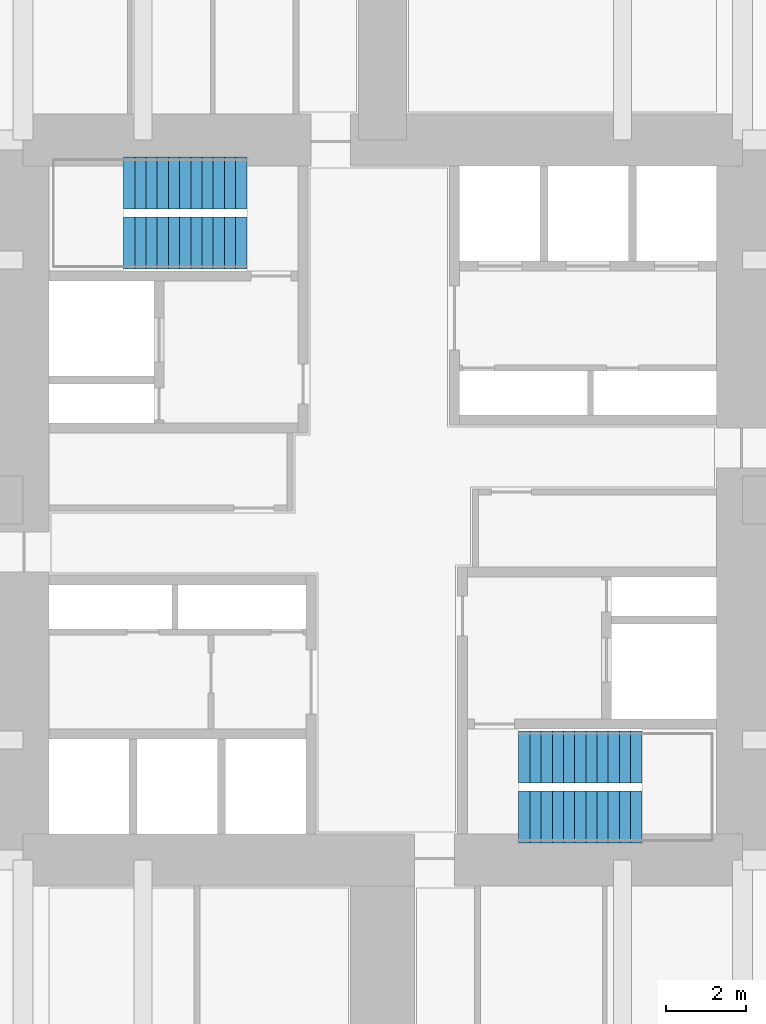
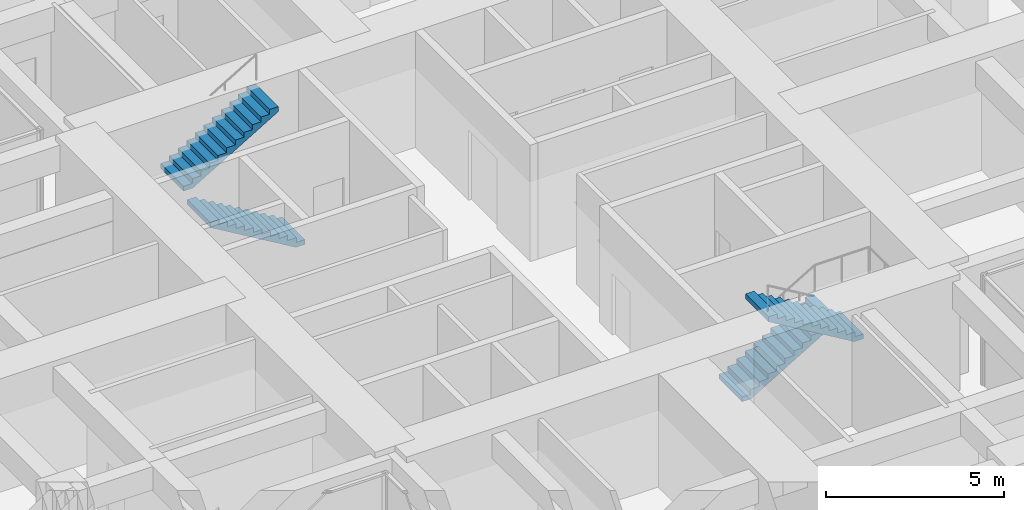
# One storey, part 12 of 13: 4 stair flights, 2 elements without a shape of their own.
"""IFC4 building model written with IfcOpenShell, lengths in metres."""

from ifc_helpers import new_model, si_unit, direction, frame, origin, place, context, subcontext, project, spatial, polyline, outline, extrude, material, type_object, element, aggregate, save


model = new_model("IFC4")

# Units and contexts
model_context = context("Model", 3, precision=1e-05, world=origin(), true_north=direction((0.0, 1.0)))
body_context = subcontext(model_context, "Body", "Model", "MODEL_VIEW")
ifc_project = project(units=[si_unit("LENGTHUNIT", "METRE"), si_unit("AREAUNIT", "SQUARE_METRE"), si_unit("VOLUMEUNIT", "CUBIC_METRE"), si_unit("PLANEANGLEUNIT", "RADIAN"), si_unit("MASSUNIT", "GRAM", prefix="KILO")], contexts=[model_context])

# Site, building, storey
site_placement = place(None, origin())
site = spatial("IfcSite", under=ifc_project, at=site_placement, CompositionType="ELEMENT")
building_placement = place(site_placement, origin())
building = spatial("IfcBuilding", under=site, at=building_placement, Name="Torre Cruceta", CompositionType="ELEMENT")
storey_placement = place(building_placement, frame((0.0, 0.0, 47.5)))
storey = spatial("IfcBuildingStorey", under=building, at=storey_placement, Name="L11", CompositionType="ELEMENT", Elevation=47.5)

# Stair, stair flights
ifc_material_1 = material(Name="Concrete G30 (fck 30 MPa)", Category="concrete")
stair_type = type_object("IfcStairType", Name="STAIR HALF-TURN 1300", PredefinedType="HALF_TURN_STAIR", material=ifc_material_1)
stair_1_placement = place(storey_placement, origin())
stair_1 = element("IfcStair", 1, at=stair_1_placement, inside=storey, type_object=stair_type, Name="Stair ST1 L11", PredefinedType="HALF_TURN_STAIR")
ifc_material_2 = material(Name="Concrete G30 (fck 30 MPa)", Category="concrete")
stair_flight_type = type_object("IfcStairFlightType", Name="STAIR FLIGHT 1300", PredefinedType="STRAIGHT", material=ifc_material_2)
stair_flight_1_placement = place(storey_placement, frame((-3.39990234375, 6.425048828125, 0.0), z_axis=(0.0, 0.0, 1.0), x_axis=(-1.0, 0.0, 0.0)))
stair_flight_1 = element("IfcStairFlight", 2, at=stair_flight_1_placement, type_object=stair_flight_type, Name="ST1 flight 1", NumberOfRisers=12, NumberOfTreads=11, PredefinedType="STRAIGHT", RiserHeight=0.166666667, TreadLength=0.28, context=body_context, shape_type="SweptSolid", body=[
    extrude(outline(polyline([(0.0, 0.0), (0.0, 0.166748046875), (0.280029296875, 0.166748046875), (0.280029296875, 0.333251953125), (0.56005859375, 0.333251953125), (0.56005859375, 0.5), (0.840087890625, 0.5), (0.840087890625, 0.666748046875), (1.1201171875, 0.666748046875), (1.1201171875, 0.833251953125), (1.39990234375, 0.833251953125), (1.39990234375, 1.0), (1.679931640625, 1.0), (1.679931640625, 1.166748046875), (1.9599609375, 1.166748046875), (1.9599609375, 1.333251953125), (2.239990234375, 1.333251953125), (2.239990234375, 1.5), (2.52001953125, 1.5), (2.52001953125, 1.666748046875), (2.800048828125, 1.666748046875), (2.800048828125, 1.833251953125), (3.080078125, 1.833251953125), (3.080078125, 2.0), (3.080078125, 1.658935546875), (0.29296875, 0.0), (0.0, 0.0)])), frame((0.0, 0.64990234375, 0.0), z_axis=(0.0, -1.0, 0.0), x_axis=(1.0, 0.0, 0.0)), (0.0, 0.0, 1.0), 1.300048828125),
])
stair_flight_2_placement = place(storey_placement, frame((-6.47998046875, 7.925048828125, 2.0), z_axis=(0.0, 0.0, 1.0), x_axis=(1.0, 0.0, 0.0)))
stair_flight_2 = element("IfcStairFlight", 3, at=stair_flight_2_placement, type_object=stair_flight_type, Name="ST1 flight 2", NumberOfRisers=12, NumberOfTreads=11, PredefinedType="STRAIGHT", RiserHeight=0.166666667, TreadLength=0.28, context=body_context, shape_type="SweptSolid", body=[
    extrude(outline(polyline([(0.0, 0.0), (0.0, 0.166748046875), (0.280029296875, 0.166748046875), (0.280029296875, 0.333251953125), (0.56005859375, 0.333251953125), (0.56005859375, 0.5), (0.840087890625, 0.5), (0.840087890625, 0.666748046875), (1.1201171875, 0.666748046875), (1.1201171875, 0.833251953125), (1.39990234375, 0.833251953125), (1.39990234375, 1.0), (1.679931640625, 1.0), (1.679931640625, 1.166748046875), (1.9599609375, 1.166748046875), (1.9599609375, 1.333251953125), (2.239990234375, 1.333251953125), (2.239990234375, 1.5), (2.52001953125, 1.5), (2.52001953125, 1.666748046875), (2.800048828125, 1.666748046875), (2.800048828125, 1.833251953125), (3.080078125, 1.833251953125), (3.080078125, 2.0), (3.080078125, 1.658935546875), (0.29296875, 0.0), (0.0, 0.0)])), frame((0.0, 0.64990234375, 0.0), z_axis=(0.0, -1.0, 0.0), x_axis=(1.0, 0.0, 0.0)), (0.0, 0.0, 1.0), 1.300048828125),
])
aggregate(stair_1, [stair_flight_1, stair_flight_2])

stair_2_placement = place(storey_placement, origin())
stair_2 = element("IfcStair", 4, at=stair_2_placement, inside=storey, type_object=stair_type, Name="Stair ST2 L11", PredefinedType="HALF_TURN_STAIR")
stair_flight_3_placement = place(storey_placement, frame((3.39990234375, -6.425048828125, 0.0), z_axis=(0.0, 0.0, 1.0), x_axis=(1.0, 0.0, 0.0)))
stair_flight_3 = element("IfcStairFlight", 5, at=stair_flight_3_placement, type_object=stair_flight_type, Name="ST2 flight 1", NumberOfRisers=12, NumberOfTreads=11, PredefinedType="STRAIGHT", RiserHeight=0.166666667, TreadLength=0.28, context=body_context, shape_type="SweptSolid", body=[
    extrude(outline(polyline([(0.0, 0.0), (0.0, 0.166748046875), (0.280029296875, 0.166748046875), (0.280029296875, 0.333251953125), (0.56005859375, 0.333251953125), (0.56005859375, 0.5), (0.840087890625, 0.5), (0.840087890625, 0.666748046875), (1.1201171875, 0.666748046875), (1.1201171875, 0.833251953125), (1.39990234375, 0.833251953125), (1.39990234375, 1.0), (1.679931640625, 1.0), (1.679931640625, 1.166748046875), (1.9599609375, 1.166748046875), (1.9599609375, 1.333251953125), (2.239990234375, 1.333251953125), (2.239990234375, 1.5), (2.52001953125, 1.5), (2.52001953125, 1.666748046875), (2.800048828125, 1.666748046875), (2.800048828125, 1.833251953125), (3.080078125, 1.833251953125), (3.080078125, 2.0), (3.080078125, 1.658935546875), (0.29296875, 0.0), (0.0, 0.0)])), frame((0.0, 0.64990234375, 0.0), z_axis=(0.0, -1.0, 0.0), x_axis=(1.0, 0.0, 0.0)), (0.0, 0.0, 1.0), 1.300048828125),
])
stair_flight_4_placement = place(storey_placement, frame((6.47998046875, -7.925048828125, 2.0), z_axis=(0.0, 0.0, 1.0), x_axis=(-1.0, 0.0, 0.0)))
stair_flight_4 = element("IfcStairFlight", 6, at=stair_flight_4_placement, type_object=stair_flight_type, Name="ST2 flight 2", NumberOfRisers=12, NumberOfTreads=11, PredefinedType="STRAIGHT", RiserHeight=0.166666667, TreadLength=0.28, context=body_context, shape_type="SweptSolid", body=[
    extrude(outline(polyline([(0.0, 0.0), (0.0, 0.166748046875), (0.280029296875, 0.166748046875), (0.280029296875, 0.333251953125), (0.56005859375, 0.333251953125), (0.56005859375, 0.5), (0.840087890625, 0.5), (0.840087890625, 0.666748046875), (1.1201171875, 0.666748046875), (1.1201171875, 0.833251953125), (1.39990234375, 0.833251953125), (1.39990234375, 1.0), (1.679931640625, 1.0), (1.679931640625, 1.166748046875), (1.9599609375, 1.166748046875), (1.9599609375, 1.333251953125), (2.239990234375, 1.333251953125), (2.239990234375, 1.5), (2.52001953125, 1.5), (2.52001953125, 1.666748046875), (2.800048828125, 1.666748046875), (2.800048828125, 1.833251953125), (3.080078125, 1.833251953125), (3.080078125, 2.0), (3.080078125, 1.658935546875), (0.29296875, 0.0), (0.0, 0.0)])), frame((0.0, 0.64990234375, 0.0), z_axis=(0.0, -1.0, 0.0), x_axis=(1.0, 0.0, 0.0)), (0.0, 0.0, 1.0), 1.300048828125),
])
aggregate(stair_2, [stair_flight_3, stair_flight_4])

save(model, "model.ifc")
